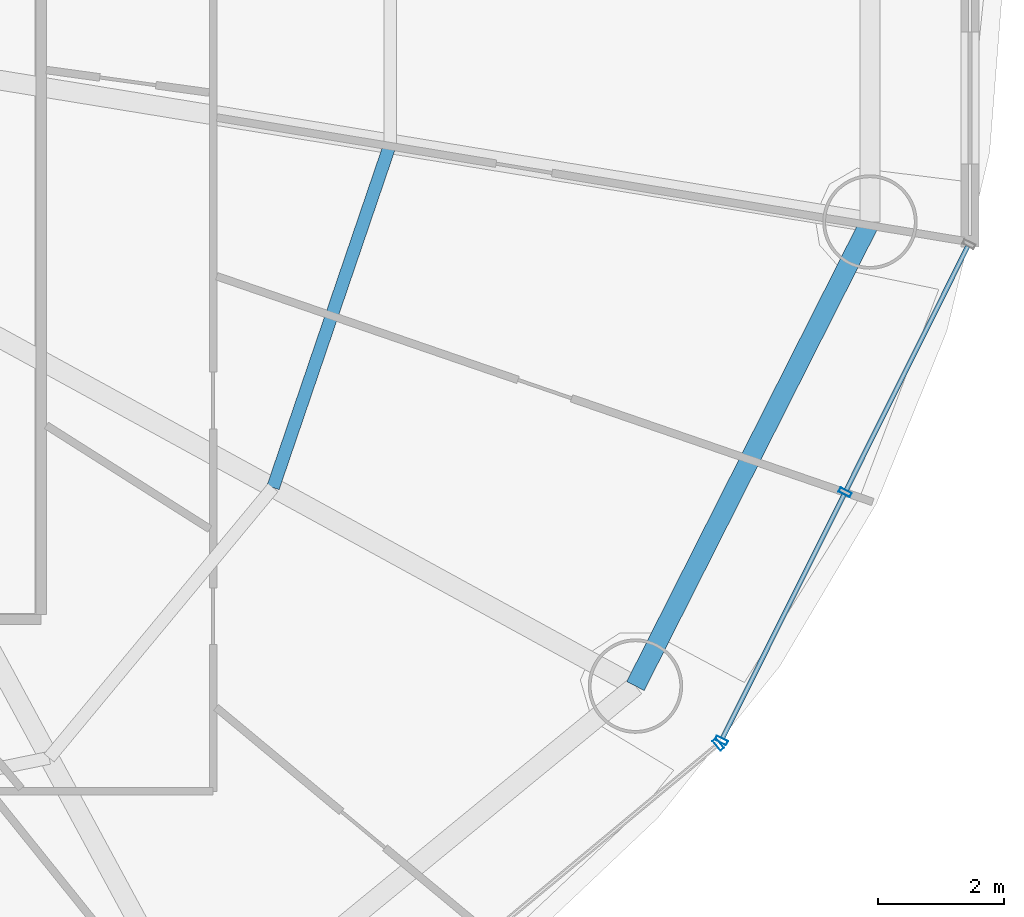
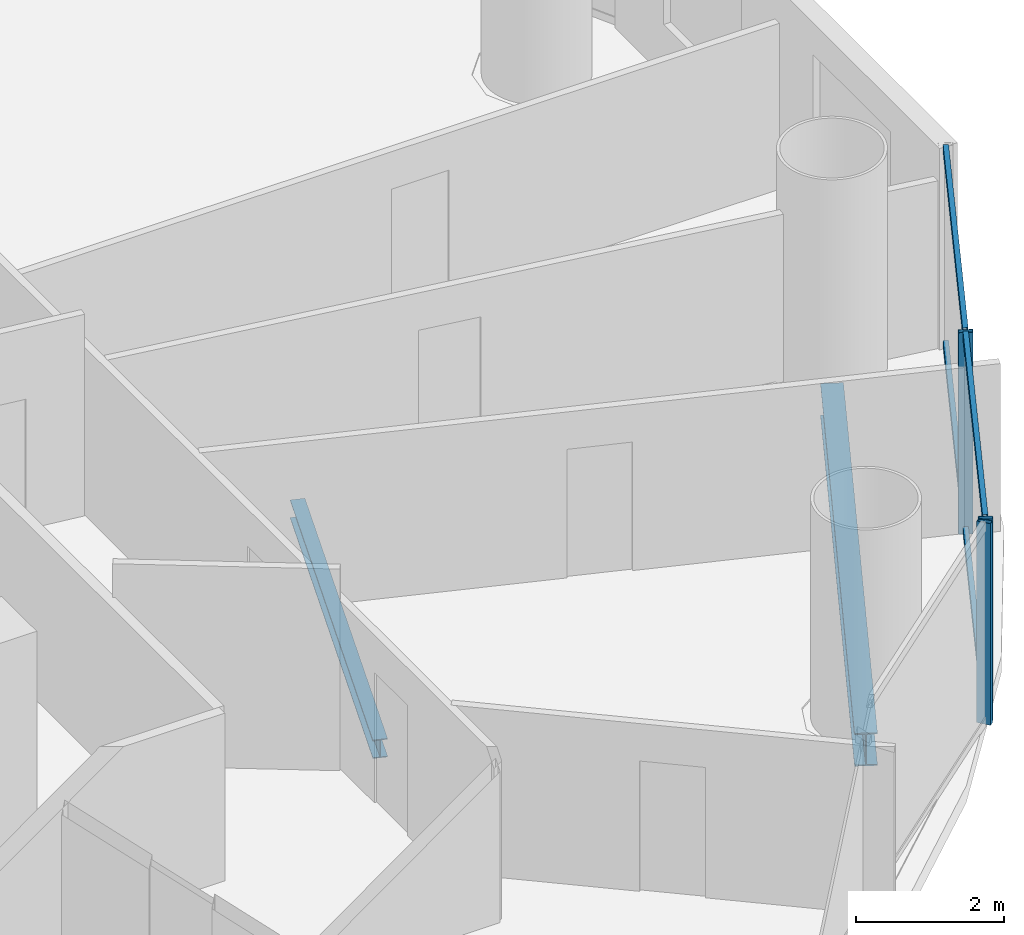
# One storey, part 13 of 29: 7 members, 2 beams, 2 elements without a shape of their own.
"""IFC4 building model written with IfcOpenShell, lengths in metres."""

from ifc_helpers import new_model, si_unit, direction, frame, origin, origin_2d, place, context, subcontext, project, spatial, hollow_rectangle, i_section, extrude, source, transform, mapped, material, material_profile, profile_set, type_object, element, aggregate, save


model = new_model("IFC4")

# Units and contexts
model_context = context("Model", 3, precision=1e-05, world=origin(), true_north=direction((-0.2419218956, 0.970295726276)))
body_context = subcontext(model_context, "Body", "Model", "MODEL_VIEW")
ifc_project = project(units=[si_unit("LENGTHUNIT", "METRE"), si_unit("AREAUNIT", "SQUARE_METRE"), si_unit("VOLUMEUNIT", "CUBIC_METRE"), si_unit("PLANEANGLEUNIT", "RADIAN"), si_unit("MASSUNIT", "GRAM", prefix="KILO")], contexts=[model_context])

# Site, building, storey
site_placement = place(None, origin())
site = spatial("IfcSite", under=ifc_project, at=site_placement, CompositionType="ELEMENT")
building_placement = place(site_placement, origin())
building = spatial("IfcBuilding", under=site, at=building_placement, Name="Cobrevalo Terracotta Tower", CompositionType="ELEMENT")
storey_placement = place(building_placement, frame((0.0, 0.0, 90.60009765625)))
storey = spatial("IfcBuildingStorey", under=building, at=storey_placement, Name="L23", CompositionType="ELEMENT", Elevation=90.60009765625)

# Beams
ifc_material_1 = material(Name="Steel S355", Category="steel")
ifc_material_profile_1 = material_profile(ifc_material_1, i_section(OverallWidth=0.2041015625, OverallDepth=0.305908203125, WebThickness=0.008544921875, FlangeThickness=0.0146484375, at=origin_2d()), Name="W 310x67")
ifc_profile_set_1 = profile_set([ifc_material_profile_1], Name="Steel S355")
beam_type_1 = type_object("IfcBeamType", Name="Structural Joist W 310x67 (Steel S355)", PredefinedType="JOIST", material=ifc_profile_set_1)
beam_1_placement = place(storey_placement, frame((52.987548828125, 18.591796875, -0.427978515625), z_axis=(0.322846227919, 0.946451431991, 0.0), x_axis=(-0.946451431991, 0.322846227919, 0.0)))
element("IfcBeam", 1, at=beam_1_placement, inside=storey, type_object=beam_type_1, Name="L23 circumferential secondary floor joist 15", PredefinedType="JOIST", context=body_context, shape_type="SweptSolid", body=[
    extrude(i_section(OverallWidth=0.2041015625, OverallDepth=0.305908203125, WebThickness=0.008544921875, FlangeThickness=0.0146484375, at=origin_2d()), origin(), (0.0, 0.0, 1.0), 5.77001953125),
])
ifc_material_profile_2 = material_profile(ifc_material_1, i_section(OverallWidth=0.31201171875, OverallDepth=0.54296875, WebThickness=0.0126953125, FlangeThickness=0.020263671875, at=origin_2d()), Name="W 530x150")
ifc_profile_set_2 = profile_set([ifc_material_profile_2], Name="Steel S355")
beam_type_2 = type_object("IfcBeamType", Name="Structural Spandrel W 530x150 (Steel S355)", PredefinedType="SPANDREL", material=ifc_profile_set_2)
beam_2_placement = place(storey_placement, frame((58.7451171875, 15.4384765625, -0.546630859375), z_axis=(0.451051982172, 0.892497680321, 0.0), x_axis=(-0.892497680321, 0.451051982172, 0.0)))
element("IfcBeam", 2, at=beam_2_placement, inside=storey, type_object=beam_type_2, Name="L23 perimeter ring spandrel 15", PredefinedType="SPANDREL", context=body_context, shape_type="SweptSolid", body=[
    extrude(i_section(OverallWidth=0.31201171875, OverallDepth=0.54296875, WebThickness=0.0126953125, FlangeThickness=0.020263671875, at=origin_2d()), origin(), (0.0, 0.0, 1.0), 8.259765625),
])

# Curtain wall, member
ifc_material_2 = material(Name="Anodized aluminium", Category="aluminium")
curtain_wall_type = type_object("IfcCurtainWallType", Name="Lower-tower unitised acoustic low-E curtain wall CW-U1", PredefinedType="NOTDEFINED", material=ifc_material_2)
curtain_wall_1_placement = place(storey_placement, origin())
curtain_wall_1 = element("IfcCurtainWall", 3, at=curtain_wall_1_placement, inside=storey, type_object=curtain_wall_type, Name="L23 curtain wall CW-L23-S14", PredefinedType="NOTDEFINED")
ifc_material_profile_3 = material_profile(ifc_material_2, hollow_rectangle(XDim=0.074951171875, YDim=0.199951171875, WallThickness=0.0048828125, at=origin_2d()), Name="CWM 75x200")
ifc_profile_set_3 = profile_set([ifc_material_profile_3], Name="Anodized aluminium")
member_type_1 = type_object("IfcMemberType", Name="Lower/mid tower unitised mullion 75x200", PredefinedType="MULLION", material=ifc_profile_set_3)
shared_shape_1 = source(origin(), body_context, "Body", "SweptSolid", [
    extrude(hollow_rectangle(XDim=0.074951171875, YDim=0.199951171875, WallThickness=0.0048828125, at=origin_2d()), origin(), (0.0, 0.0, 1.0), 3.324951171875),
])
member_1_placement = place(storey_placement, frame((60.061279296875, 14.512939453125, 0.0), z_axis=(0.0, 0.0, 1.0), x_axis=(0.769243451658, 0.638955798222, 0.0)))
member_1 = element("IfcMember", 4, at=member_1_placement, type_object=member_type_1, Name="CW-L23-S14 vertical mullion 03", PredefinedType="MULLION", context=body_context, shape_type="MappedRepresentation", body=[
    mapped(shared_shape_1, transform((0.0, 0.0, 0.0), scale=1.0)),
])
aggregate(curtain_wall_1, [member_1])

# Curtain wall, members
curtain_wall_2_placement = place(storey_placement, origin())
curtain_wall_2 = element("IfcCurtainWall", 5, at=curtain_wall_2_placement, inside=storey, type_object=curtain_wall_type, Name="L23 curtain wall CW-L23-S15", PredefinedType="NOTDEFINED")
member_2_placement = place(storey_placement, frame((60.110107421875, 14.574462890625, 0.0), z_axis=(0.0, 0.0, 1.0), x_axis=(0.446260290227, 0.894903208937, 0.0)))
member_2 = element("IfcMember", 6, at=member_2_placement, type_object=member_type_1, Name="CW-L23-S15 vertical mullion 01", PredefinedType="MULLION", context=body_context, shape_type="MappedRepresentation", body=[
    mapped(shared_shape_1, transform((0.0, 0.0, 0.0), scale=1.0)),
])
member_3_placement = place(storey_placement, frame((62.075927734375, 18.516357421875, 0.0), z_axis=(0.0, 0.0, 1.0), x_axis=(0.446260290227, 0.894903208937, 0.0)))
member_3 = element("IfcMember", 7, at=member_3_placement, type_object=member_type_1, Name="CW-L23-S15 vertical mullion 02", PredefinedType="MULLION", context=body_context, shape_type="MappedRepresentation", body=[
    mapped(shared_shape_1, transform((0.0, 0.0, 0.0), scale=1.0)),
])
ifc_material_profile_4 = material_profile(ifc_material_2, hollow_rectangle(XDim=0.074951171875, YDim=0.14990234375, WallThickness=0.00439453125, at=origin_2d()), Name="CWT 75x150")
ifc_profile_set_4 = profile_set([ifc_material_profile_4], Name="Anodized aluminium")
member_type_2 = type_object("IfcMemberType", Name="Tower unitised aluminium transom 75x150", PredefinedType="USERDEFINED", material=ifc_profile_set_4)
shared_shape_2 = source(origin(), body_context, "Body", "SweptSolid", [
    extrude(hollow_rectangle(XDim=0.074951171875, YDim=0.14990234375, WallThickness=0.00439453125, at=origin_2d()), origin(), (0.0, 0.0, 1.0), 4.324951171875),
])
member_4_placement = place(storey_placement, frame((60.1279296875, 14.610107421875, 0.0498046875), z_axis=(0.446219838389, 0.894923379864, 0.0), x_axis=(-0.894923379864, 0.446219838389, 0.0)))
member_4 = element("IfcMember", 8, at=member_4_placement, type_object=member_type_2, Name="CW-L23-S15 transom B01-T1", ObjectType="TRANSOM", PredefinedType="USERDEFINED", context=body_context, shape_type="MappedRepresentation", body=[
    mapped(shared_shape_2, transform((0.0, 0.0, 0.0), scale=1.0)),
])
member_5_placement = place(storey_placement, frame((60.1279296875, 14.610107421875, 3.27490234375), z_axis=(0.446219838389, 0.894923379864, 0.0), x_axis=(-0.894923379864, 0.446219838389, 0.0)))
member_5 = element("IfcMember", 9, at=member_5_placement, type_object=member_type_2, Name="CW-L23-S15 transom B01-T2", ObjectType="TRANSOM", PredefinedType="USERDEFINED", context=body_context, shape_type="MappedRepresentation", body=[
    mapped(shared_shape_2, transform((0.0, 0.0, 0.0), scale=1.0)),
])
member_6_placement = place(storey_placement, frame((62.09375, 18.55224609375, 0.0498046875), z_axis=(0.446219838389, 0.894923379864, 0.0), x_axis=(-0.894923379864, 0.446219838389, 0.0)))
member_6 = element("IfcMember", 10, at=member_6_placement, type_object=member_type_2, Name="CW-L23-S15 transom B02-T1", ObjectType="TRANSOM", PredefinedType="USERDEFINED", context=body_context, shape_type="MappedRepresentation", body=[
    mapped(shared_shape_2, transform((0.0, 0.0, 0.0), scale=1.0)),
])
member_7_placement = place(storey_placement, frame((62.09375, 18.55224609375, 3.27490234375), z_axis=(0.446219838389, 0.894923379864, 0.0), x_axis=(-0.894923379864, 0.446219838389, 0.0)))
member_7 = element("IfcMember", 11, at=member_7_placement, type_object=member_type_2, Name="CW-L23-S15 transom B02-T2", ObjectType="TRANSOM", PredefinedType="USERDEFINED", context=body_context, shape_type="MappedRepresentation", body=[
    mapped(shared_shape_2, transform((0.0, 0.0, 0.0), scale=1.0)),
])
aggregate(curtain_wall_2, [member_2, member_3, member_4, member_5, member_6, member_7])

save(model, "model.ifc")
